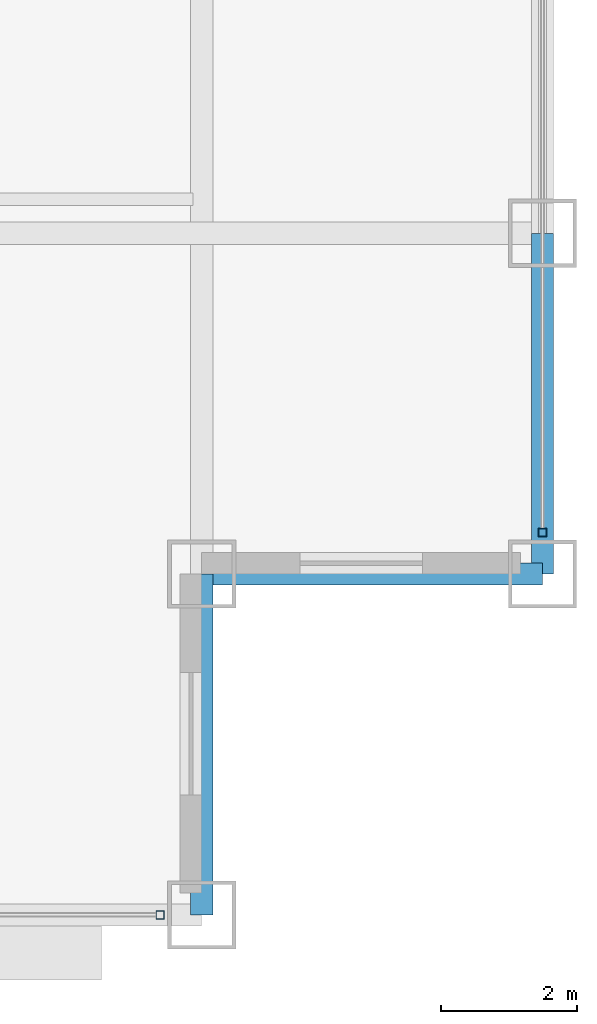
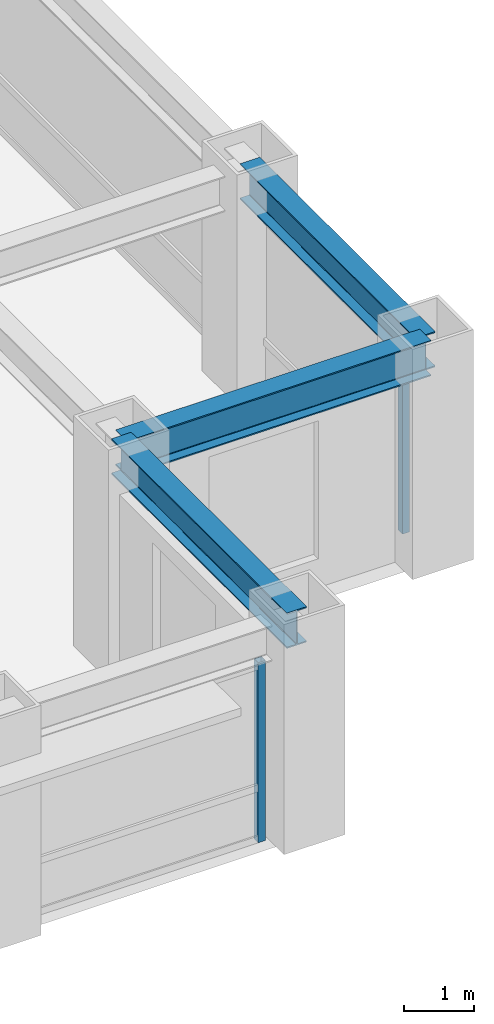
# One storey, part 8 of 29: 3 beams, 2 members, 2 elements without a shape of their own.
"""IFC4 building model written with IfcOpenShell, lengths in metres."""

import ifcopenshell
import ifcopenshell.guid

model = None  # the IFC model being written
_history = None  # IfcOwnerHistory: only IFC2X3 demands one
_inside = {}  # id of a spatial element -> (the spatial element, [elements in it])
_under = {}  # id of a project, library or spatial element -> (it, [spatial elements below it])
_declared = {}  # id of a project -> (the project, [libraries it declares])
_typed = {}  # id of a type object -> (the type object, [elements of that type])
_made_of = {}  # id of a material, layer set ... -> (it, [elements and type objects made of it])


def new_model(schema):
    """Start an empty IFC model of exactly this schema.

    Asked for "IFC4X3", IfcOpenShell would pick the latest addendum, in which some entities
    have other attributes; the version numbers below select the first issue.
    IFC2X3 requires an IfcOwnerHistory on every rooted entity: one is made here for all.
    """
    global model, _history
    if schema == "IFC4X3":
        model = ifcopenshell.file(schema_version=(4, 3, 0, 0))
    else:
        model = ifcopenshell.file(schema=schema)
    _inside.clear()
    _under.clear()
    _declared.clear()
    _typed.clear()
    _made_of.clear()
    _history = None
    if model.schema == "IFC2X3":
        org = make("IfcOrganization", Name="unknown")
        user = make(
            "IfcPersonAndOrganization",
            ThePerson=make("IfcPerson", FamilyName="unknown"),
            TheOrganization=org,
        )
        app = make(
            "IfcApplication",
            ApplicationDeveloper=org,
            Version="unknown",
            ApplicationFullName="unknown",
            ApplicationIdentifier="unknown",
        )
        _history = make(
            "IfcOwnerHistory",
            OwningUser=user,
            OwningApplication=app,
            ChangeAction="ADDED",
            CreationDate=0,
        )
    return model


def make(cls, **values):
    """One entity of the class cls with the attributes given. An attribute that is None is left unset."""
    return model.create_entity(
        cls, **{name: value for name, value in values.items() if value is not None}
    )


def rooted(cls, **values):
    """An entity with a GlobalId (a new one), such as an element, a storey or a relation."""
    return make(cls, GlobalId=ifcopenshell.guid.new(), OwnerHistory=_history, **values)


def si_unit(unit_type, name, prefix=None):
    """IfcSIUnit, for example si_unit("LENGTHUNIT", "METRE", prefix="MILLI")."""
    return make("IfcSIUnit", UnitType=unit_type, Prefix=prefix, Name=name)


def assignment(units):
    """IfcUnitAssignment: the units of a project."""
    return None if units is None else make("IfcUnitAssignment", Units=units)


def point(xyz):
    """IfcCartesianPoint."""
    return None if xyz is None else make("IfcCartesianPoint", Coordinates=xyz)


def direction(xyz):
    """IfcDirection."""
    return None if xyz is None else make("IfcDirection", DirectionRatios=xyz)


def frame(location, z_axis=None, x_axis=None):
    """IfcAxis2Placement3D, a coordinate frame: its origin and axes. An axis left out is left unset."""
    return make(
        "IfcAxis2Placement3D",
        Location=point(location),
        Axis=direction(z_axis),
        RefDirection=direction(x_axis),
    )


def frame_2d(location, x_axis=None):
    """IfcAxis2Placement2D, a coordinate frame in the plane: its origin and x axis."""
    return make(
        "IfcAxis2Placement2D", Location=point(location), RefDirection=direction(x_axis)
    )


def origin():
    """The frame at (0, 0, 0) with its axes left unset."""
    return frame((0.0, 0.0, 0.0))


def origin_2d():
    """The frame at (0, 0) in the plane with its x axis left unset."""
    return frame_2d((0.0, 0.0))


def place(relative_to, where):
    """IfcLocalPlacement: puts the frame where relative to a parent placement (None: the world)."""
    return make(
        "IfcLocalPlacement", PlacementRelTo=relative_to, RelativePlacement=where
    )


def context(
    kind, dimensions, precision=None, world=None, true_north=None, identifier=None
):
    """IfcGeometricRepresentationContext, for example the 3D "Model" context."""
    return make(
        "IfcGeometricRepresentationContext",
        ContextIdentifier=identifier,
        ContextType=kind,
        CoordinateSpaceDimension=dimensions,
        Precision=precision,
        WorldCoordinateSystem=world,
        TrueNorth=true_north,
    )


def subcontext(parent, identifier, kind, view, scale=None):
    """IfcGeometricRepresentationSubContext, for example "Body" below "Model"."""
    return make(
        "IfcGeometricRepresentationSubContext",
        ContextIdentifier=identifier,
        ContextType=kind,
        ParentContext=parent,
        TargetScale=scale,
        TargetView=view,
    )


def project(units=None, contexts=None):
    """IfcProject with its units and contexts."""
    return rooted(
        "IfcProject",
        Name="project",
        RepresentationContexts=contexts,
        UnitsInContext=assignment(units),
    )


def spatial(cls, under=None, at=None, **own):
    """A site, building, storey or space (cls), placed at a placement, below another one or the project."""
    s = rooted(cls, ObjectPlacement=at, **own)
    if under is not None:
        _under.setdefault(under.id(), (under, []))[1].append(s)
    return s


def profile(cls, at=None, kind="AREA", **sizes):
    """A parametric profile (cls). Its sizes go by their IFC names, for example OverallWidth=200.0."""
    return make(cls, ProfileType=kind, Position=at, **sizes)


def hollow_rectangle(**sizes):
    """IfcRectangleHollowProfileDef."""
    return profile("IfcRectangleHollowProfileDef", **sizes)


def i_section(**sizes):
    """IfcIShapeProfileDef."""
    return profile("IfcIShapeProfileDef", **sizes)


def extrude(swept, where, along, depth):
    """IfcExtrudedAreaSolid: the profile swept, set in the frame where, extruded along a direction by depth."""
    return make(
        "IfcExtrudedAreaSolid",
        SweptArea=swept,
        Position=where,
        ExtrudedDirection=direction(along),
        Depth=depth,
    )


def shape(context_of_items, identifier, shape_type, items):
    """IfcShapeRepresentation: the items that make up one representation, for example the "Body"."""
    return make(
        "IfcShapeRepresentation",
        ContextOfItems=context_of_items,
        RepresentationIdentifier=identifier,
        RepresentationType=shape_type,
        Items=items,
    )


def source(mapping_origin, context_of_items, identifier, shape_type, items):
    """IfcRepresentationMap: a shape defined once, which mapped items show again and again."""
    return make(
        "IfcRepresentationMap",
        MappingOrigin=mapping_origin,
        MappedRepresentation=shape(context_of_items, identifier, shape_type, items),
    )


def transform(
    local_origin,
    x_axis=None,
    y_axis=None,
    z_axis=None,
    scale=None,
    scale2=None,
    scale3=None,
    uniform=True,
):
    """IfcCartesianTransformationOperator3D, or its non-uniform kind. x_axis, y_axis, z_axis: its Axis1, 2, 3."""
    if uniform:
        return make(
            "IfcCartesianTransformationOperator3D",
            Axis1=direction(x_axis),
            Axis2=direction(y_axis),
            LocalOrigin=point(local_origin),
            Scale=scale,
            Axis3=direction(z_axis),
        )
    return make(
        "IfcCartesianTransformationOperator3DnonUniform",
        Axis1=direction(x_axis),
        Axis2=direction(y_axis),
        LocalOrigin=point(local_origin),
        Scale=scale,
        Axis3=direction(z_axis),
        Scale2=scale2,
        Scale3=scale3,
    )


def mapped(mapping_source, mapping_target):
    """IfcMappedItem: shows the shape of a source again, moved by a transform."""
    return make(
        "IfcMappedItem", MappingSource=mapping_source, MappingTarget=mapping_target
    )


def material(Name=None, Category=None):
    """IfcMaterial."""
    return make("IfcMaterial", Name=Name, Category=Category)


def material_profile(
    of_material, cross_section, Name=None, Category=None, Priority=None
):
    """IfcMaterialProfile: a cross section and its material."""
    return make(
        "IfcMaterialProfile",
        Name=Name,
        Material=of_material,
        Profile=cross_section,
        Priority=Priority,
        Category=Category,
    )


def profile_set(profiles, Name=None, composite=None):
    """IfcMaterialProfileSet."""
    return make(
        "IfcMaterialProfileSet",
        Name=Name,
        MaterialProfiles=profiles,
        CompositeProfile=composite,
    )


def made_of(thing, what):
    """Note that an element or type object is made of a material, layer set ...; save() writes the relation."""
    if what is not None:
        _made_of.setdefault(what.id(), (what, []))[1].append(thing)
    return thing


def type_object(cls, material=None, **own):
    """A type object (cls), such as IfcWallType, which elements share."""
    return made_of(rooted(cls, **own), material)


def element(
    cls,
    number,
    at=None,
    inside=None,
    cuts=None,
    type_object=None,
    material=None,
    context=None,
    identifier="Body",
    shape_type=None,
    held_by="IfcProductDefinitionShape",
    body=None,
    shapes=None,
    **own,
):
    """One element of the class cls, such as IfcWall. Its Tag is "e" and its number.

    at: its placement. inside: the storey or other place that contains it. cuts: it is an
    opening in that element (IfcRelVoidsElement). A single representation is given by context,
    identifier, shape_type and body (its items); several are given by shapes. held_by: the class
    of the entity that holds the representations. save() writes the other relations.
    """
    e = rooted(cls, Tag="e%d" % number, ObjectPlacement=at, **own)
    if body is not None:
        shapes = [shape(context, identifier, shape_type, body)]
    if shapes is not None:
        e.Representation = make(held_by, Representations=shapes)
    if inside is not None:
        _inside.setdefault(inside.id(), (inside, []))[1].append(e)
    if cuts is not None:
        rooted(
            "IfcRelVoidsElement", RelatingBuildingElement=cuts, RelatedOpeningElement=e
        )
    if type_object is not None:
        _typed.setdefault(type_object.id(), (type_object, []))[1].append(e)
    return made_of(e, material)


def aggregate(whole, parts):
    """IfcRelAggregates: a whole, such as a stair, and the parts it consists of."""
    return rooted("IfcRelAggregates", RelatingObject=whole, RelatedObjects=parts)


def save(model, path):
    """Write the relations noted so far, then the file.

    IfcRelAggregates (storeys below a building ...), IfcRelContainedInSpatialStructure (elements
    in a storey), IfcRelDefinesByType, IfcRelAssociatesMaterial and IfcRelDeclares: one each for
    every whole, place, type object, material and project.
    """
    for whole, parts in _under.values():
        aggregate(whole, parts)
    for where, things in _inside.values():
        rooted(
            "IfcRelContainedInSpatialStructure",
            RelatedElements=things,
            RelatingStructure=where,
        )
    for kind, things in _typed.values():
        rooted("IfcRelDefinesByType", RelatedObjects=things, RelatingType=kind)
    for what, things in _made_of.values():
        rooted("IfcRelAssociatesMaterial", RelatedObjects=things, RelatingMaterial=what)
    for by, libraries in _declared.values():
        rooted("IfcRelDeclares", RelatingContext=by, RelatedDefinitions=libraries)
    model.write(path)


model = new_model("IFC4")

# Units and contexts
model_context = context("Model", 3, precision=1e-05, world=origin(), true_north=direction((0.0, 1.0)))
body_context = subcontext(model_context, "Body", "Model", "MODEL_VIEW")
ifc_project = project(units=[si_unit("LENGTHUNIT", "METRE"), si_unit("AREAUNIT", "SQUARE_METRE"), si_unit("VOLUMEUNIT", "CUBIC_METRE"), si_unit("PLANEANGLEUNIT", "RADIAN"), si_unit("MASSUNIT", "GRAM", prefix="KILO")], contexts=[model_context])

# Site, building, storey
site_placement = place(None, origin())
site = spatial("IfcSite", under=ifc_project, at=site_placement, CompositionType="ELEMENT")
building_placement = place(site_placement, origin())
building = spatial("IfcBuilding", under=site, at=building_placement, Name="Khorayat Bourse Tower", CompositionType="ELEMENT")
storey_placement = place(building_placement, frame((0.0, 0.0, 239.10009765625)))
storey = spatial("IfcBuildingStorey", under=building, at=storey_placement, Name="L56", CompositionType="ELEMENT", Elevation=239.10009765625)

# Beams
ifc_material_1 = material(Name="Steel ASTM A992 Grade 50", Category="steel")
ifc_material_profile_1 = material_profile(ifc_material_1, i_section(OverallWidth=0.324951171875, OverallDepth=0.615966796875, WebThickness=0.013916015625, FlangeThickness=0.021484375, FilletRadius=0.01611328125, at=origin_2d()), Name="W610X174")
ifc_profile_set_1 = profile_set([ifc_material_profile_1], Name="Steel ASTM A992 Grade 50")
beam_type = type_object("IfcBeamType", Name="BM-SPAN-610", PredefinedType="SPANDREL", material=ifc_profile_set_1)
shared_shape_1 = source(origin(), body_context, "Body", "SweptSolid", [
    extrude(i_section(OverallWidth=0.324951171875, OverallDepth=0.615966796875, WebThickness=0.013916015625, FlangeThickness=0.021484375, FilletRadius=0.01611328125, at=origin_2d()), origin(), (0.0, 0.0, 1.0), 5.0),
])
for number, where, z_axis, x_axis, name in (
    (1, (25.0, -30.0, 3.471923828125), (0.0, 1.0, 0.0), (-1.0, 0.0, 0.0), "L56 BM-SPAN-610 BM-L56-SPN-032"),
    (2, (25.0, -25.0, 3.471923828125), (1.0, 0.0, 0.0), (0.0, 1.0, 0.0), "L56 BM-SPAN-610 BM-L56-SPN-033"),
    (3, (30.0, -25.0, 3.471923828125), (0.0, 1.0, 0.0), (-1.0, 0.0, 0.0), "L56 BM-SPAN-610 BM-L56-SPN-034"),
):
    element("IfcBeam", number, at=place(storey_placement, frame(where, z_axis=z_axis, x_axis=x_axis)), inside=storey, type_object=beam_type, Name=name, PredefinedType="SPANDREL", context=body_context, shape_type="MappedRepresentation", body=[
        mapped(shared_shape_1, transform((0.0, 0.0, 0.0), scale=1.0)),
    ])

# Curtain wall, member
ifc_material_2 = material(Name="Aluminium EN AW-6063 T6", Category="aluminium")
curtain_wall_type = type_object("IfcCurtainWallType", Name="CW-SYS-03", PredefinedType="NOTDEFINED", material=ifc_material_2)
curtain_wall_1_placement = place(storey_placement, origin())
curtain_wall_1 = element("IfcCurtainWall", 4, at=curtain_wall_1_placement, inside=storey, type_object=curtain_wall_type, Name="L56 Curtain Wall CW-L56-S1", PredefinedType="NOTDEFINED")
ifc_material_profile_2 = material_profile(ifc_material_2, hollow_rectangle(XDim=0.1201171875, YDim=0.1201171875, WallThickness=0.0048828125, at=origin_2d()), Name="ALU 120x120x5")
ifc_profile_set_2 = profile_set([ifc_material_profile_2], Name="Aluminium EN AW-6063 T6")
member_type = type_object("IfcMemberType", Name="CWM-VERT-120", PredefinedType="MULLION", material=ifc_profile_set_2)
shared_shape_2 = source(origin(), body_context, "Body", "SweptSolid", [
    extrude(hollow_rectangle(XDim=0.1201171875, YDim=0.1201171875, WallThickness=0.0048828125, at=origin_2d()), origin(), (0.0, 0.0, 1.0), 3.1298828125),
])
member_1_placement = place(storey_placement, frame((24.389892578125, -30.0, 0.0), z_axis=(0.0, 0.0, 1.0), x_axis=(0.0, 1.0, 0.0)))
member_1 = element("IfcMember", 5, at=member_1_placement, type_object=member_type, Name="CW-L56-S1 Vertical Mullion 3", PredefinedType="MULLION", context=body_context, shape_type="MappedRepresentation", body=[
    mapped(shared_shape_2, transform((0.0, 0.0, 0.0), scale=1.0)),
])
aggregate(curtain_wall_1, [member_1])

curtain_wall_2_placement = place(storey_placement, origin())
curtain_wall_2 = element("IfcCurtainWall", 6, at=curtain_wall_2_placement, inside=storey, type_object=curtain_wall_type, Name="L56 Curtain Wall CW-L56-E1", PredefinedType="NOTDEFINED")
member_2_placement = place(storey_placement, frame((30.0, -24.389892578125, 0.0), z_axis=(0.0, 0.0, 1.0), x_axis=(-1.0, 0.0, 0.0)))
member_2 = element("IfcMember", 7, at=member_2_placement, type_object=member_type, Name="CW-L56-E1 Vertical Mullion 1", PredefinedType="MULLION", context=body_context, shape_type="MappedRepresentation", body=[
    mapped(shared_shape_2, transform((0.0, 0.0, 0.0), scale=1.0)),
])
aggregate(curtain_wall_2, [member_2])

save(model, "model.ifc")
